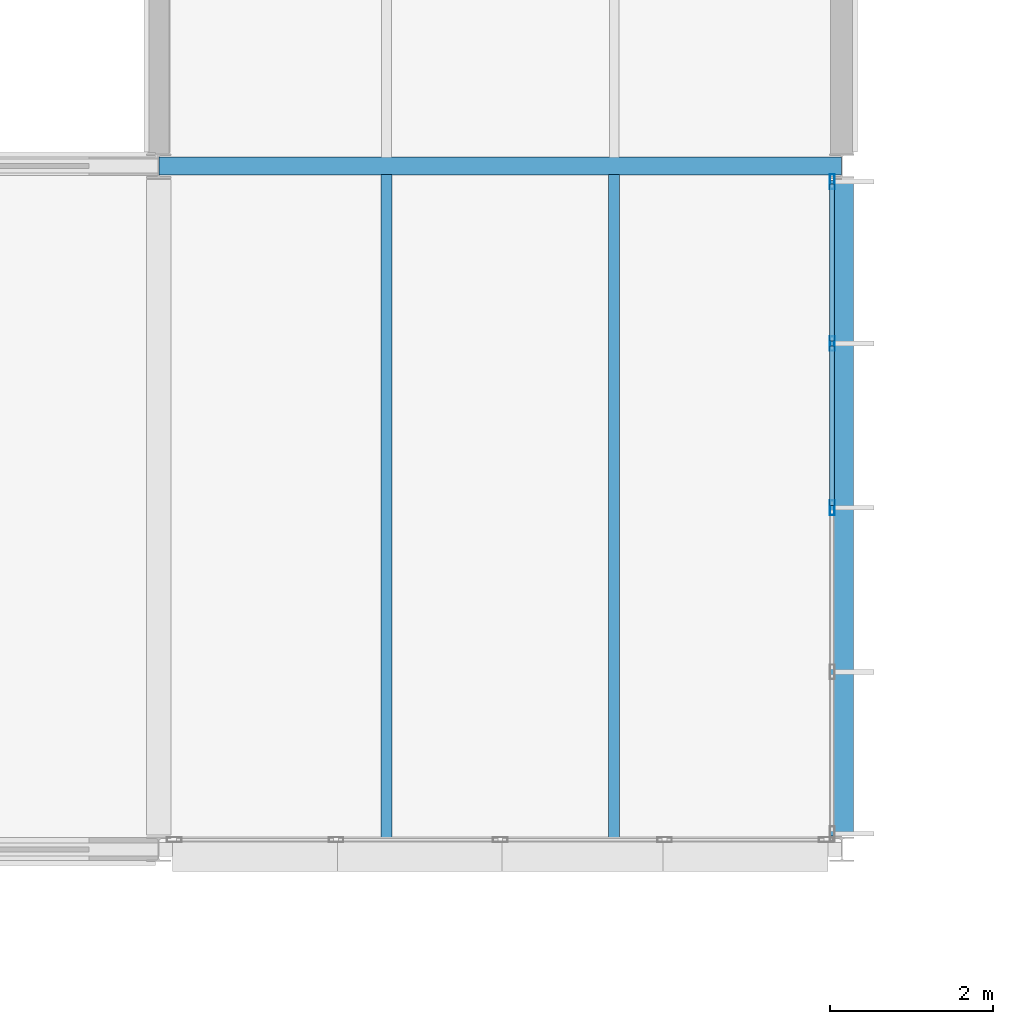
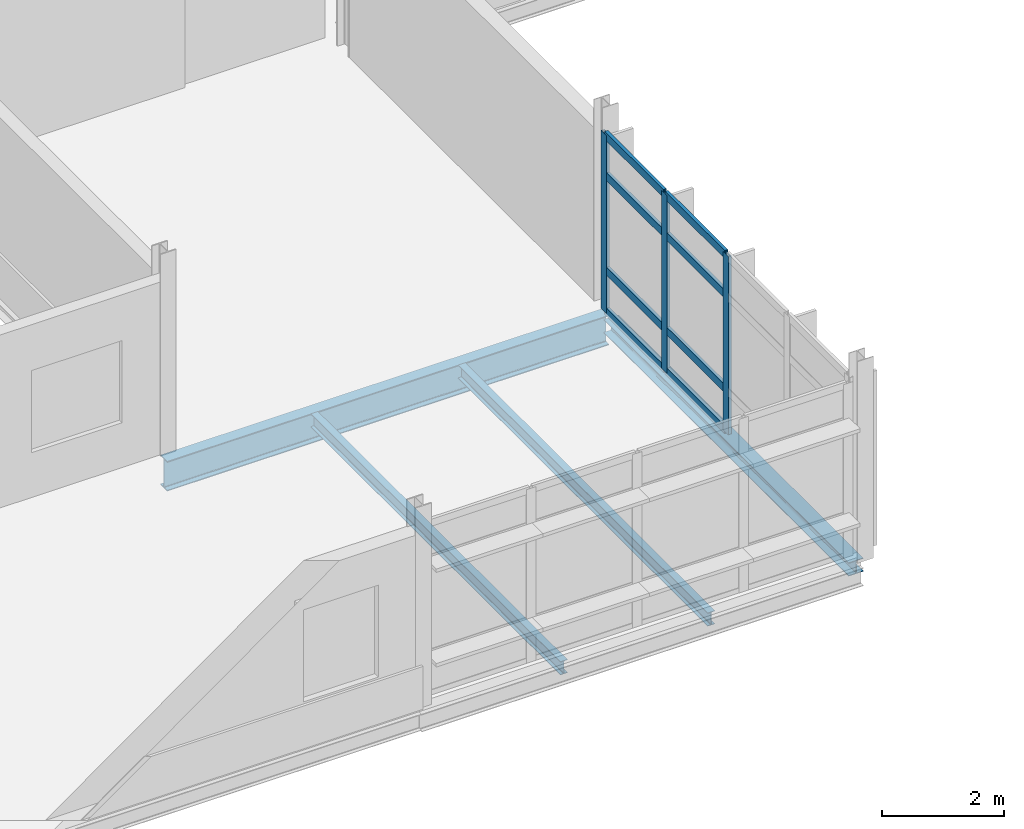
# One storey, part 22 of 103: 11 members, 4 beams, 1 element without a shape of its own.
"""IFC4 building model written with IfcOpenShell, lengths in metres."""

from ifc_helpers import new_model, si_unit, direction, frame, origin, origin_2d, place, context, subcontext, project, spatial, hollow_rectangle, i_section, extrude, material, material_profile, profile_set, type_object, element, aggregate, save


model = new_model("IFC4")

# Units and contexts
model_context = context("Model", 3, precision=1e-05, world=origin(), true_north=direction((0.0, 1.0)))
body_context = subcontext(model_context, "Body", "Model", "MODEL_VIEW")
ifc_project = project(units=[si_unit("LENGTHUNIT", "METRE"), si_unit("AREAUNIT", "SQUARE_METRE"), si_unit("VOLUMEUNIT", "CUBIC_METRE"), si_unit("PLANEANGLEUNIT", "RADIAN"), si_unit("MASSUNIT", "GRAM", prefix="KILO")], contexts=[model_context])

# Site, building, storey
site_placement = place(None, origin())
site = spatial("IfcSite", under=ifc_project, at=site_placement, CompositionType="ELEMENT")
building_placement = place(site_placement, origin())
building = spatial("IfcBuilding", under=site, at=building_placement, Name="Mersafa Astral City Hall", CompositionType="ELEMENT")
storey_placement = place(building_placement, frame((0.0, 0.0, 18.0)))
storey = spatial("IfcBuildingStorey", under=building, at=storey_placement, Name="L04", CompositionType="ELEMENT", Elevation=18.0)

# Curtain wall, members
ifc_material_1 = material(Name="Anodised bronze aluminium framing", Category="aluminium")
curtain_wall_type = type_object("IfcCurtainWallType", Name="ENV-CW-5", PredefinedType="USERDEFINED", material=ifc_material_1)
curtain_wall_placement = place(storey_placement, origin())
curtain_wall = element("IfcCurtainWall", 1, at=curtain_wall_placement, inside=storey, type_object=curtain_wall_type, Name="L04 Unitised solar curtain wall 202", ObjectType="UNITISED CURTAIN WALL", PredefinedType="USERDEFINED")
ifc_material_profile_1 = material_profile(ifc_material_1, hollow_rectangle(XDim=0.06005859375, YDim=0.179931640625, WallThickness=0.00390625, at=origin_2d()), Name="RHS 60x180x4")
ifc_profile_set_1 = profile_set([ifc_material_profile_1], Name="Anodised bronze aluminium framing")
member_type_1 = type_object("IfcMemberType", Name="ENV-CW-MUL-1", PredefinedType="MULLION", material=ifc_profile_set_1)
member_1_placement = place(storey_placement, frame((50.280029296875, 96.60009765625, -0.001953125), z_axis=(0.0, 0.0, 1.0), x_axis=(-1.0, 0.0, 0.0)))
member_1 = element("IfcMember", 2, at=member_1_placement, type_object=member_type_1, Name="CW-5 mullion 3", PredefinedType="MULLION", context=body_context, shape_type="SweptSolid", body=[
    extrude(hollow_rectangle(XDim=0.06005859375, YDim=0.179931640625, WallThickness=0.00390625, at=origin_2d()), origin(), (0.0, 0.0, 1.0), 3.578857421875),
])
member_2_placement = place(storey_placement, frame((50.280029296875, 98.618896484375, -0.001953125), z_axis=(0.0, 0.0, 1.0), x_axis=(-1.0, 0.0, 0.0)))
member_2 = element("IfcMember", 3, at=member_2_placement, type_object=member_type_1, Name="CW-5 mullion 4", PredefinedType="MULLION", context=body_context, shape_type="SweptSolid", body=[
    extrude(hollow_rectangle(XDim=0.06005859375, YDim=0.179931640625, WallThickness=0.00390625, at=origin_2d()), origin(), (0.0, 0.0, 1.0), 3.578857421875),
])
member_3_placement = place(storey_placement, frame((50.280029296875, 100.60791015625, -0.001953125), z_axis=(0.0, 0.0, 1.0), x_axis=(-1.0, 0.0, 0.0)))
member_3 = element("IfcMember", 4, at=member_3_placement, type_object=member_type_1, Name="CW-5 mullion 5", PredefinedType="MULLION", context=body_context, shape_type="SweptSolid", body=[
    extrude(hollow_rectangle(XDim=0.06005859375, YDim=0.179931640625, WallThickness=0.00390625, at=origin_2d()), origin(), (0.0, 0.0, 1.0), 3.578857421875),
])
ifc_material_profile_2 = material_profile(ifc_material_1, hollow_rectangle(XDim=0.06005859375, YDim=0.159912109375, WallThickness=0.00390625, at=origin_2d()), Name="RHS 60x160x4")
ifc_profile_set_2 = profile_set([ifc_material_profile_2], Name="Anodised bronze aluminium framing")
member_type_2 = type_object("IfcMemberType", Name="ENV-CW-TRN-2", PredefinedType="USERDEFINED", material=ifc_profile_set_2)
member_4_placement = place(storey_placement, frame((50.280029296875, 96.6298828125, 0.028076171875), z_axis=(0.0, 1.0, 0.0), x_axis=(-1.0, 0.0, 0.0)))
member_4 = element("IfcMember", 5, at=member_4_placement, type_object=member_type_2, Name="CW-5 transom 3.1", ObjectType="TRANSOM", PredefinedType="USERDEFINED", context=body_context, shape_type="SweptSolid", body=[
    extrude(hollow_rectangle(XDim=0.06005859375, YDim=0.159912109375, WallThickness=0.00390625, at=origin_2d()), origin(), (0.0, 0.0, 1.0), 1.959228515625),
])
member_5_placement = place(storey_placement, frame((50.280029296875, 96.6298828125, 0.85009765625), z_axis=(0.0, 1.0, 0.0), x_axis=(-1.0, 0.0, 0.0)))
member_5 = element("IfcMember", 6, at=member_5_placement, type_object=member_type_2, Name="CW-5 transom 3.2", ObjectType="TRANSOM", PredefinedType="USERDEFINED", context=body_context, shape_type="SweptSolid", body=[
    extrude(hollow_rectangle(XDim=0.06005859375, YDim=0.159912109375, WallThickness=0.00390625, at=origin_2d()), origin(), (0.0, 0.0, 1.0), 1.959228515625),
])
member_6_placement = place(storey_placement, frame((50.280029296875, 96.6298828125, 2.75), z_axis=(0.0, 1.0, 0.0), x_axis=(-1.0, 0.0, 0.0)))
member_6 = element("IfcMember", 7, at=member_6_placement, type_object=member_type_2, Name="CW-5 transom 3.3", ObjectType="TRANSOM", PredefinedType="USERDEFINED", context=body_context, shape_type="SweptSolid", body=[
    extrude(hollow_rectangle(XDim=0.06005859375, YDim=0.159912109375, WallThickness=0.00390625, at=origin_2d()), origin(), (0.0, 0.0, 1.0), 1.959228515625),
])
member_7_placement = place(storey_placement, frame((50.280029296875, 96.6298828125, 3.547119140625), z_axis=(0.0, 1.0, 0.0), x_axis=(-1.0, 0.0, 0.0)))
member_7 = element("IfcMember", 8, at=member_7_placement, type_object=member_type_2, Name="CW-5 transom 3.4", ObjectType="TRANSOM", PredefinedType="USERDEFINED", context=body_context, shape_type="SweptSolid", body=[
    extrude(hollow_rectangle(XDim=0.06005859375, YDim=0.159912109375, WallThickness=0.00390625, at=origin_2d()), origin(), (0.0, 0.0, 1.0), 1.959228515625),
])
member_8_placement = place(storey_placement, frame((50.280029296875, 98.64892578125, 0.028076171875), z_axis=(0.0, 1.0, 0.0), x_axis=(-1.0, 0.0, 0.0)))
member_8 = element("IfcMember", 9, at=member_8_placement, type_object=member_type_2, Name="CW-5 transom 4.1", ObjectType="TRANSOM", PredefinedType="USERDEFINED", context=body_context, shape_type="SweptSolid", body=[
    extrude(hollow_rectangle(XDim=0.06005859375, YDim=0.159912109375, WallThickness=0.00390625, at=origin_2d()), origin(), (0.0, 0.0, 1.0), 1.928955078125),
])
member_9_placement = place(storey_placement, frame((50.280029296875, 98.64892578125, 0.85009765625), z_axis=(0.0, 1.0, 0.0), x_axis=(-1.0, 0.0, 0.0)))
member_9 = element("IfcMember", 10, at=member_9_placement, type_object=member_type_2, Name="CW-5 transom 4.2", ObjectType="TRANSOM", PredefinedType="USERDEFINED", context=body_context, shape_type="SweptSolid", body=[
    extrude(hollow_rectangle(XDim=0.06005859375, YDim=0.159912109375, WallThickness=0.00390625, at=origin_2d()), origin(), (0.0, 0.0, 1.0), 1.928955078125),
])
member_10_placement = place(storey_placement, frame((50.280029296875, 98.64892578125, 2.75), z_axis=(0.0, 1.0, 0.0), x_axis=(-1.0, 0.0, 0.0)))
member_10 = element("IfcMember", 11, at=member_10_placement, type_object=member_type_2, Name="CW-5 transom 4.3", ObjectType="TRANSOM", PredefinedType="USERDEFINED", context=body_context, shape_type="SweptSolid", body=[
    extrude(hollow_rectangle(XDim=0.06005859375, YDim=0.159912109375, WallThickness=0.00390625, at=origin_2d()), origin(), (0.0, 0.0, 1.0), 1.928955078125),
])
member_11_placement = place(storey_placement, frame((50.280029296875, 98.64892578125, 3.547119140625), z_axis=(0.0, 1.0, 0.0), x_axis=(-1.0, 0.0, 0.0)))
member_11 = element("IfcMember", 12, at=member_11_placement, type_object=member_type_2, Name="CW-5 transom 4.4", ObjectType="TRANSOM", PredefinedType="USERDEFINED", context=body_context, shape_type="SweptSolid", body=[
    extrude(hollow_rectangle(XDim=0.06005859375, YDim=0.159912109375, WallThickness=0.00390625, at=origin_2d()), origin(), (0.0, 0.0, 1.0), 1.928955078125),
])
aggregate(curtain_wall, [member_1, member_2, member_3, member_4, member_5, member_6, member_7, member_8, member_9, member_10, member_11])

# Beams
ifc_material_2 = material(Name="Steel S355", Category="steel")
ifc_material_profile_3 = material_profile(ifc_material_2, i_section(OverallWidth=0.219970703125, OverallDepth=0.60009765625, WebThickness=0.011962890625, FlangeThickness=0.01904296875, FilletRadius=0.02392578125, at=origin_2d()), Name="IPE 600")
ifc_profile_set_3 = profile_set([ifc_material_profile_3], Name="Steel S355")
beam_type_1 = type_object("IfcBeamType", Name="STR-BM-IPE600", PredefinedType="BEAM", material=ifc_profile_set_3)
beam_1_placement = place(storey_placement, frame((42.0029296875, 100.800048828125, -0.485107421875), z_axis=(1.0, 0.0, 0.0), x_axis=(0.0, 1.0, 0.0)))
element("IfcBeam", 13, at=beam_1_placement, inside=storey, type_object=beam_type_1, Name="L04 Primary girder X 5-12", PredefinedType="BEAM", context=body_context, shape_type="SweptSolid", body=[
    extrude(i_section(OverallWidth=0.219970703125, OverallDepth=0.60009765625, WebThickness=0.011962890625, FlangeThickness=0.01904296875, FilletRadius=0.02392578125, at=origin_2d()), origin(), (0.0, 0.0, 1.0), 8.39404296875),
])
ifc_material_profile_4 = material_profile(ifc_material_2, i_section(OverallWidth=0.135009765625, OverallDepth=0.27001953125, WebThickness=0.006591796875, FlangeThickness=0.01025390625, FilletRadius=0.014892578125, at=origin_2d()), Name="IPE 270")
ifc_profile_set_4 = profile_set([ifc_material_profile_4], Name="Steel S355")
beam_type_2 = type_object("IfcBeamType", Name="STR-BM-JOIST-IPE270", PredefinedType="JOIST", material=ifc_profile_set_4)
for number, where, z_axis, x_axis, name in (
    (14, (44.800048828125, 92.47998046875, -0.320068359375), (0.0, 1.0, 0.0), (-1.0, 0.0, 0.0), "L04 Composite secondary floor joist 694"),
    (15, (47.60009765625, 92.47998046875, -0.320068359375), (0.0, 1.0, 0.0), (-1.0, 0.0, 0.0), "L04 Composite secondary floor joist 695"),
):
    element("IfcBeam", number, at=place(storey_placement, frame(where, z_axis=z_axis, x_axis=x_axis)), inside=storey, type_object=beam_type_2, Name=name, PredefinedType="JOIST", context=body_context, shape_type="SweptSolid", body=[
        extrude(i_section(OverallWidth=0.135009765625, OverallDepth=0.27001953125, WebThickness=0.006591796875, FlangeThickness=0.01025390625, FilletRadius=0.014892578125, at=origin_2d()), origin(), (0.0, 0.0, 1.0), 8.215087890625),
    ])
ifc_material_profile_5 = material_profile(ifc_material_2, i_section(OverallWidth=0.280029296875, OverallDepth=0.27001953125, WebThickness=0.008056640625, FlangeThickness=0.012939453125, FilletRadius=0.02392578125, at=origin_2d()), Name="HEA 280")
ifc_profile_set_5 = profile_set([ifc_material_profile_5], Name="Steel S355")
beam_type_3 = type_object("IfcBeamType", Name="STR-BM-SPANDREL-HEA280", PredefinedType="SPANDREL", material=ifc_profile_set_5)
beam_2_placement = place(storey_placement, frame((50.39990234375, 92.56494140625, -0.320068359375), z_axis=(0.0, 1.0, 0.0), x_axis=(-1.0, 0.0, 0.0)))
element("IfcBeam", 16, at=beam_2_placement, inside=storey, type_object=beam_type_3, Name="L04 Primary girder Y 6-11", PredefinedType="SPANDREL", context=body_context, shape_type="SweptSolid", body=[
    extrude(i_section(OverallWidth=0.280029296875, OverallDepth=0.27001953125, WebThickness=0.008056640625, FlangeThickness=0.012939453125, FilletRadius=0.02392578125, at=origin_2d()), origin(), (0.0, 0.0, 1.0), 8.06005859375),
])

save(model, "model.ifc")
